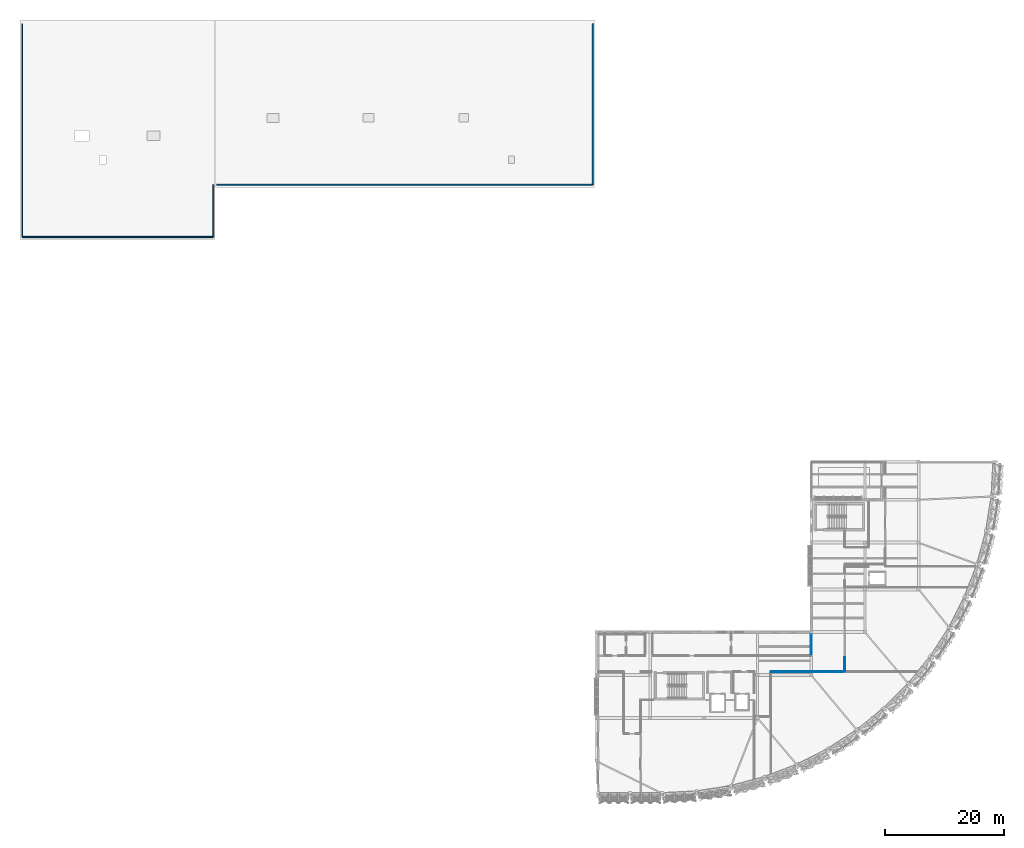
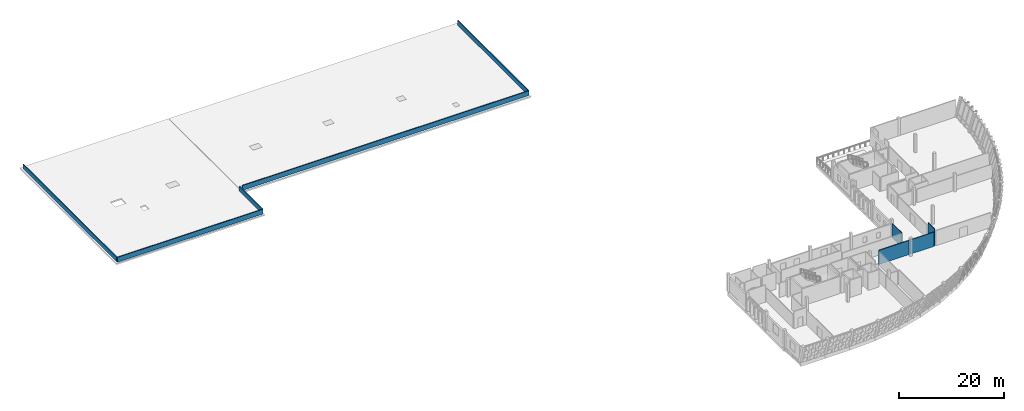
# One storey, part 21 of 24: 9 walls.
"""IFC4 building model written with IfcOpenShell, lengths in metres."""

from ifc_helpers import new_model, si_unit, direction, frame, frame_2d, origin, place, context, subcontext, project, spatial, rectangle, extrude, material, layer, layer_set, type_object, element, save


model = new_model("IFC4")

# Units and contexts
model_context = context("Model", 3, precision=1e-05, world=origin(), true_north=direction((0.0, 1.0)))
body_context = subcontext(model_context, "Body", "Model", "MODEL_VIEW")
ifc_project = project(units=[si_unit("LENGTHUNIT", "METRE"), si_unit("AREAUNIT", "SQUARE_METRE"), si_unit("VOLUMEUNIT", "CUBIC_METRE"), si_unit("PLANEANGLEUNIT", "RADIAN"), si_unit("MASSUNIT", "GRAM", prefix="KILO")], contexts=[model_context])

# Site, building, storey
site_placement = place(None, origin())
site = spatial("IfcSite", under=ifc_project, at=site_placement, CompositionType="ELEMENT")
building_placement = place(site_placement, origin())
building = spatial("IfcBuilding", under=site, at=building_placement, Name="Chiffa Square Polytechnic", CompositionType="ELEMENT")
storey_placement = place(building_placement, frame((0.0, 0.0, 22.199951171875)))
storey = spatial("IfcBuildingStorey", under=building, at=storey_placement, Name="L05", CompositionType="ELEMENT", Elevation=22.199951171875)

# Walls
ifc_material_1 = material(Name="Precast concrete C40/50", Category="concrete")
ifc_layer_1 = layer(ifc_material_1, 0.199951171875, Name="Precast concrete C40/50")
ifc_layer_set_1 = layer_set([ifc_layer_1], Name="Precast concrete C40/50")
wall_type_1 = type_object("IfcWallType", Name="WL-PAR-200", PredefinedType="PARAPET", material=ifc_layer_set_1)
wall_1_placement = place(storey_placement, frame((48.0, 103.800048828125, 0.300048828125), z_axis=(0.0, 0.0, 1.0), x_axis=(0.0, -1.0, 0.0)))
element("IfcWall", 1, at=wall_1_placement, inside=storey, type_object=wall_type_1, Name="Roof parapet PRP-V5-W-1", PredefinedType="PARAPET", context=body_context, shape_type="SweptSolid", body=[
    extrude(rectangle(XDim=8.75, YDim=0.199951171875, at=frame_2d((4.375, 0.0))), origin(), (0.0, 0.0, 1.0), 1.10009765625),
])
wall_2_placement = place(storey_placement, frame((48.0, 95.050048828125, 0.300048828125), z_axis=(0.0, 0.0, 1.0), x_axis=(-1.0, 0.0, 0.0)))
element("IfcWall", 2, at=wall_2_placement, inside=storey, type_object=wall_type_1, Name="Roof parapet PRP-V5-W-2", PredefinedType="PARAPET", context=body_context, shape_type="SweptSolid", body=[
    extrude(rectangle(XDim=32.0, YDim=0.199951171875, at=frame_2d((16.0, 0.0))), origin(), (0.0, 0.0, 1.0), 1.10009765625),
])
wall_3_placement = place(storey_placement, frame((16.0, 95.050048828125, 0.300048828125), z_axis=(0.0, 0.0, 1.0), x_axis=(0.0, 1.0, 0.0)))
element("IfcWall", 3, at=wall_3_placement, inside=storey, type_object=wall_type_1, Name="Roof parapet PRP-V5-W-3", PredefinedType="PARAPET", context=body_context, shape_type="SweptSolid", body=[
    extrude(rectangle(XDim=35.75, YDim=0.199951171875, at=frame_2d((17.875, 0.0))), origin(), (0.0, 0.0, 1.0), 1.10009765625),
])
wall_4_placement = place(storey_placement, frame((48.550048828125, 103.800048828125, 0.300048828125), z_axis=(0.0, 0.0, 1.0), x_axis=(1.0, 0.0, 0.0)))
element("IfcWall", 4, at=wall_4_placement, inside=storey, type_object=wall_type_1, Name="Roof parapet PRP-V5-M-1", PredefinedType="PARAPET", context=body_context, shape_type="SweptSolid", body=[
    extrude(rectangle(XDim=63.050048828125, YDim=0.199951171875, at=frame_2d((31.52490234375, 0.0))), origin(), (0.0, 0.0, 1.0), 1.10009765625),
])
wall_5_placement = place(storey_placement, frame((111.60009765625, 103.800048828125, 0.300048828125), z_axis=(0.0, 0.0, 1.0), x_axis=(0.0, 1.0, 0.0)))
element("IfcWall", 5, at=wall_5_placement, inside=storey, type_object=wall_type_1, Name="Roof parapet PRP-V5-M-2", PredefinedType="PARAPET", context=body_context, shape_type="SweptSolid", body=[
    extrude(rectangle(XDim=27.0, YDim=0.199951171875, at=frame_2d((13.5, 0.0))), origin(), (0.0, 0.0, 1.0), 1.10009765625),
])
ifc_material_2 = material(Name="Gypsum board on steel stud", Category="steel")
ifc_layer_2 = layer(ifc_material_2, 0.125, Name="Gypsum board on steel stud")
ifc_layer_set_2 = layer_set([ifc_layer_2], Name="Gypsum board on steel stud")
wall_type_2 = type_object("IfcWallType", Name="WL-PART-125", PredefinedType="PARTITIONING", material=ifc_layer_set_2)
wall_6_placement = place(storey_placement, frame((148.199951171875, 25.070068359375, 0.0), z_axis=(0.0, 0.0, 1.0), x_axis=(0.0, 1.0, 0.0)))
element("IfcWall", 6, at=wall_6_placement, inside=storey, type_object=wall_type_2, Name="Interior partition WP-V1-L05-0680", PredefinedType="PARTITIONING", context=body_context, shape_type="SweptSolid", body=[
    extrude(rectangle(XDim=3.489990234375, YDim=0.125, at=frame_2d((1.7451171875, 0.0))), origin(), (0.0, 0.0, 1.0), 3.31494140625),
])
ifc_material_3 = material(Name="Gypsum board on acoustic steel stud", Category="steel")
ifc_layer_3 = layer(ifc_material_3, 0.159912109375, Name="Gypsum board on acoustic steel stud")
ifc_layer_set_3 = layer_set([ifc_layer_3], Name="Gypsum board on acoustic steel stud")
wall_type_3 = type_object("IfcWallType", Name="WL-PART-EI60-160", PredefinedType="PARTITIONING", material=ifc_layer_set_3)
wall_7_placement = place(storey_placement, frame((153.800048828125, 22.14990234375, 0.0), z_axis=(0.0, 0.0, 1.0), x_axis=(0.0, 1.0, 0.0)))
element("IfcWall", 7, at=wall_7_placement, inside=storey, type_object=wall_type_3, Name="Interior partition WP-V1-L05-0686", PredefinedType="PARTITIONING", context=body_context, shape_type="SweptSolid", body=[
    extrude(rectangle(XDim=2.47998046875, YDim=0.159912109375, at=frame_2d((1.239990234375, 0.0))), origin(), (0.0, 0.0, 1.0), 3.97998046875),
])
wall_8_placement = place(storey_placement, frame((148.35009765625, 22.14990234375, 0.0), z_axis=(0.0, 0.0, 1.0), x_axis=(1.0, 0.0, 0.0)))
element("IfcWall", 8, at=wall_8_placement, inside=storey, type_object=wall_type_3, Name="Interior partition WP-V1-L05-0689", PredefinedType="PARTITIONING", context=body_context, shape_type="SweptSolid", body=[
    extrude(rectangle(XDim=5.22998046875, YDim=0.159912109375, at=frame_2d((2.614990234375, 0.0))), origin(), (0.0, 0.0, 1.0), 3.31494140625),
])
wall_9_placement = place(storey_placement, frame((141.449951171875, 22.14990234375, 0.0), z_axis=(0.0, 0.0, 1.0), x_axis=(1.0, 0.0, 0.0)))
element("IfcWall", 9, at=wall_9_placement, inside=storey, type_object=wall_type_3, Name="Interior partition WP-V1-L05-0690", PredefinedType="PARTITIONING", context=body_context, shape_type="SweptSolid", body=[
    extrude(rectangle(XDim=6.679931640625, YDim=0.159912109375, at=frame_2d((3.33984375, 0.0))), origin(), (0.0, 0.0, 1.0), 3.31494140625),
])

save(model, "model.ifc")
